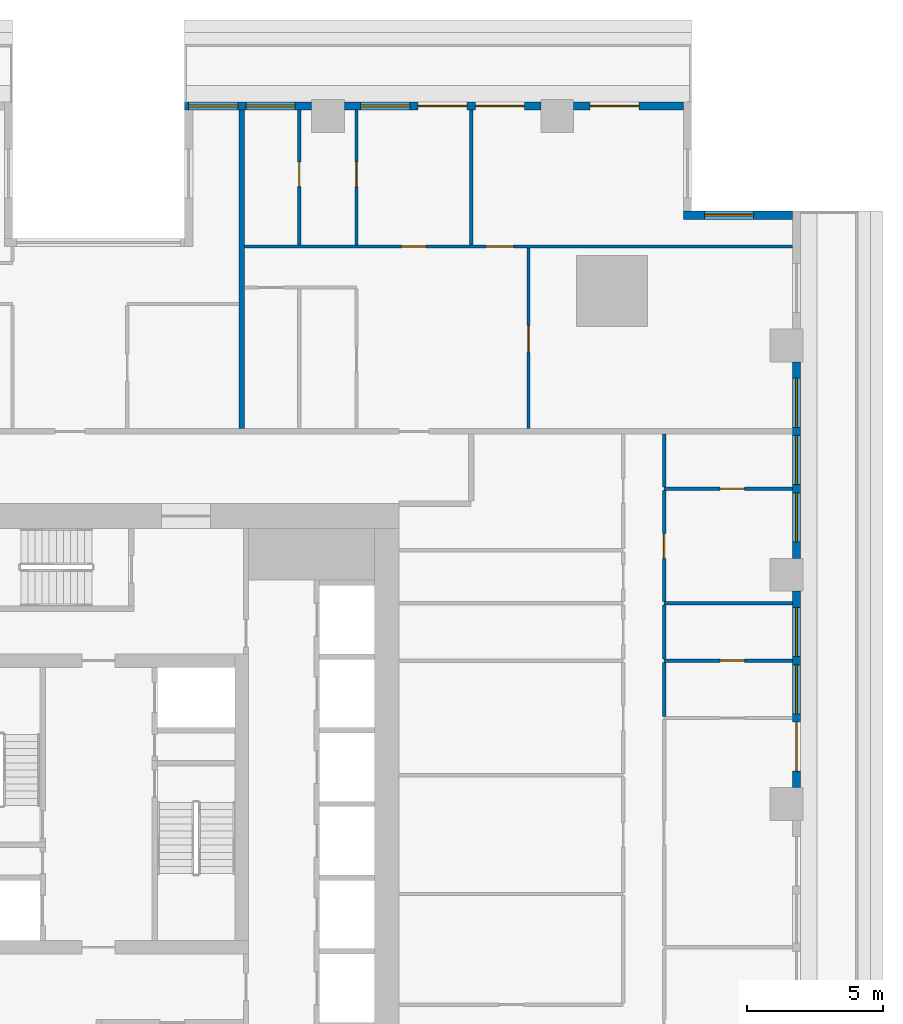
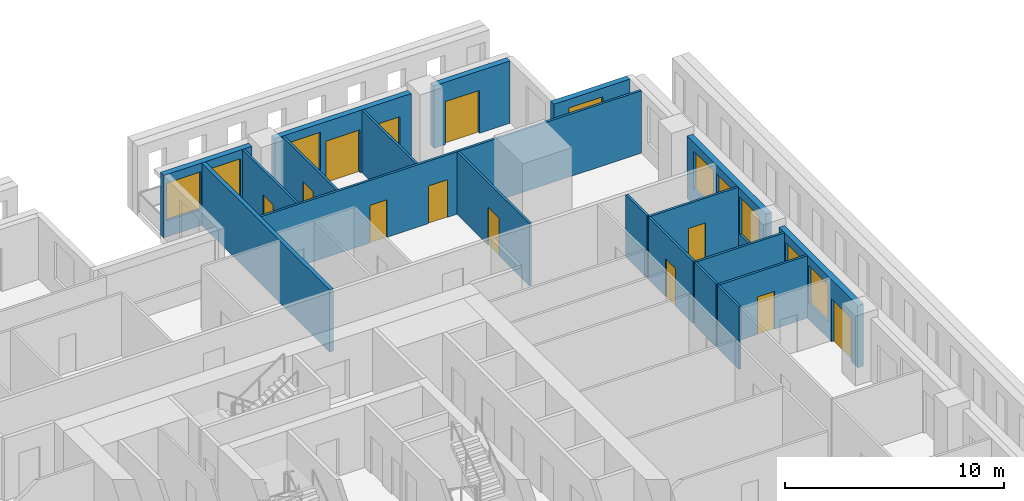
# One storey, part 9 of 16: 19 walls, 12 doors, 9 windows, 21 openings.
"""IFC4 building model written with IfcOpenShell, lengths in metres."""

from ifc_helpers import new_model, si_unit, direction, frame, frame_2d, origin, place, context, subcontext, project, spatial, rectangle, extrude, material, layer, layer_set, type_object, element, fill, save


model = new_model("IFC4")

# Units and contexts
model_context = context("Model", 3, precision=1e-05, world=origin(), true_north=direction((0.0, 1.0)))
body_context = subcontext(model_context, "Body", "Model", "MODEL_VIEW")
ifc_project = project(units=[si_unit("LENGTHUNIT", "METRE"), si_unit("AREAUNIT", "SQUARE_METRE"), si_unit("VOLUMEUNIT", "CUBIC_METRE"), si_unit("PLANEANGLEUNIT", "RADIAN"), si_unit("MASSUNIT", "GRAM", prefix="KILO")], contexts=[model_context])

# Site, building, storey
site_placement = place(None, origin())
site = spatial("IfcSite", under=ifc_project, at=site_placement, CompositionType="ELEMENT")
building_placement = place(site_placement, origin())
building = spatial("IfcBuilding", under=site, at=building_placement, Name="Khepri Terraces", CompositionType="ELEMENT")
storey_placement = place(building_placement, frame((0.0, 0.0, 137.699951171875)))
storey = spatial("IfcBuildingStorey", under=building, at=storey_placement, Name="L32", CompositionType="ELEMENT", Elevation=137.699951171875)

# Wall
ifc_material_1 = material(Name="Fire-rated gypsum plasterboard partition, mineral wool")
ifc_layer_1 = layer(ifc_material_1, 0.199951171875, Name="Fire-rated gypsum plasterboard partition, mineral wool")
ifc_layer_set_1 = layer_set([ifc_layer_1], Name="Fire-rated gypsum plasterboard partition, mineral wool")
wall_type_1 = type_object("IfcWallType", Name="WL-CORR-200", PredefinedType="PARTITIONING", material=ifc_layer_set_1)
wall_1_placement = place(storey_placement, frame((5.25, 13.75, 0.0), z_axis=(0.0, 0.0, 1.0), x_axis=(0.0, 1.0, 0.0)))
element("IfcWall", 1, at=wall_1_placement, inside=storey, type_object=wall_type_1, Name="Partition P-093 L32", PredefinedType="PARTITIONING", context=body_context, shape_type="SweptSolid", body=[
    extrude(rectangle(XDim=11.669921875, YDim=0.199951171875, at=frame_2d((5.8349609375, 0.0))), origin(), (0.0, 0.0, 1.0), 3.47998046875),
])

# Wall, openings, door, windows
ifc_material_2 = material(Name="Precast concrete C50/60 warm stone", Category="masonry")
ifc_layer_2 = layer(ifc_material_2, 0.300048828125, Name="Precast concrete C50/60 warm stone", Category="masonry")
ifc_layer_set_2 = layer_set([ifc_layer_2], Name="Precast concrete C50/60 warm stone")
wall_type_2 = type_object("IfcWallType", Name="WL-EXT-PRECAST-300", PredefinedType="STANDARD", material=ifc_layer_set_2)
wall_2_placement = place(storey_placement, frame((25.570068359375, 0.60009765625, 0.0), z_axis=(0.0, 0.0, 1.0), x_axis=(0.0, 1.0, 0.0)))
wall_2 = element("IfcWall", 2, at=wall_2_placement, inside=storey, type_object=wall_type_2, Name="External wall L32 E", PredefinedType="STANDARD", context=body_context, shape_type="SweptSolid", body=[
    extrude(rectangle(XDim=7.199951171875, YDim=0.300048828125, at=frame_2d((3.60009765625, 0.0))), origin(), (0.0, 0.0, 1.0), 3.47998046875),
])
opening_1_placement = place(wall_2_placement, frame((0.60009765625, 0.0, 0.0)))
opening_1 = element("IfcOpeningElement", 3, at=opening_1_placement, cuts=wall_2, Name="Opening ED-L32-06", PredefinedType="OPENING", context=body_context, shape_type="SweptSolid", body=[
    extrude(rectangle(XDim=1.800048828125, YDim=2.39990234375, at=frame_2d((0.89990234375, 1.199951171875))), frame((0.0, 0.16015625, 0.0), z_axis=(0.0, -1.0, 0.0), x_axis=(1.0, 0.0, 0.0)), (0.0, 0.0, 1.0), 0.320068359375),
])
opening_2_placement = place(wall_2_placement, frame((2.699951171875, 0.0, 0.89990234375)))
opening_2 = element("IfcOpeningElement", 4, at=opening_2_placement, cuts=wall_2, Name="Opening W1", PredefinedType="OPENING", context=body_context, shape_type="SweptSolid", body=[
    extrude(rectangle(XDim=1.800048828125, YDim=2.10009765625, at=frame_2d((0.89990234375, 1.050048828125))), frame((0.0, 0.16015625, 0.0), z_axis=(0.0, -1.0, 0.0), x_axis=(1.0, 0.0, 0.0)), (0.0, 0.0, 1.0), 0.320068359375),
])
opening_3_placement = place(wall_2_placement, frame((4.800048828125, 0.0, 0.89990234375)))
opening_3 = element("IfcOpeningElement", 5, at=opening_3_placement, cuts=wall_2, Name="Opening W1", PredefinedType="OPENING", context=body_context, shape_type="SweptSolid", body=[
    extrude(rectangle(XDim=1.800048828125, YDim=2.10009765625, at=frame_2d((0.89990234375, 1.050048828125))), frame((0.0, 0.16015625, 0.0), z_axis=(0.0, -1.0, 0.0), x_axis=(1.0, 0.0, 0.0)), (0.0, 0.0, 1.0), 0.320068359375),
])
ifc_material_3 = material(Name="Anodised aluminium bronze glazed door", Category="aluminium")
door_type_1 = type_object("IfcDoorType", Name="DR-BAL-SLIDE-1800x2400", OperationType="NOTDEFINED", PredefinedType="DOOR", material=ifc_material_3)
door_1_placement = place(opening_1_placement, origin())
door_1 = element("IfcDoor", 6, at=door_1_placement, inside=storey, type_object=door_type_1, Name="Balcony door L32 E", OperationType="SLIDING_TO_LEFT", OverallHeight=2.39990234375, OverallWidth=1.800048828125, PredefinedType="DOOR", context=body_context, shape_type="SweptSolid", body=[
    extrude(rectangle(XDim=1.800048828125, YDim=2.39990234375, at=frame_2d((0.89990234375, 1.199951171875))), frame((0.0, 0.02490234375, 0.0), z_axis=(0.0, -1.0, 0.0), x_axis=(1.0, 0.0, 0.0)), (0.0, 0.0, 1.0), 0.050048828125),
])
fill(opening_1, door_1)
ifc_material_4 = material(Name="Clear glass", Category="glass")
window_type = type_object("IfcWindowType", Name="WIN-RES-1800x2100", PartitioningType="SINGLE_PANEL", PredefinedType="WINDOW", material=ifc_material_4)
window_1_placement = place(opening_2_placement, origin())
window_1 = element("IfcWindow", 7, at=window_1_placement, inside=storey, type_object=window_type, Name="Window L32 E", OverallHeight=2.10009765625, OverallWidth=1.800048828125, PartitioningType="SINGLE_PANEL", PredefinedType="WINDOW", context=body_context, shape_type="SweptSolid", body=[
    extrude(rectangle(XDim=1.800048828125, YDim=2.10009765625, at=frame_2d((0.89990234375, 1.050048828125))), frame((0.0, 0.030029296875, 0.0), z_axis=(0.0, -1.0, 0.0), x_axis=(1.0, 0.0, 0.0)), (0.0, 0.0, 1.0), 0.06005859375),
])
fill(opening_2, window_1)
window_2_placement = place(opening_3_placement, origin())
window_2 = element("IfcWindow", 8, at=window_2_placement, inside=storey, type_object=window_type, Name="Window L32 E", OverallHeight=2.10009765625, OverallWidth=1.800048828125, PartitioningType="SINGLE_PANEL", PredefinedType="WINDOW", context=body_context, shape_type="SweptSolid", body=[
    extrude(rectangle(XDim=1.800048828125, YDim=2.10009765625, at=frame_2d((0.89990234375, 1.050048828125))), frame((0.0, 0.030029296875, 0.0), z_axis=(0.0, -1.0, 0.0), x_axis=(1.0, 0.0, 0.0)), (0.0, 0.0, 1.0), 0.06005859375),
])
fill(opening_3, window_2)

# Wall, openings, windows
wall_3_placement = place(storey_placement, frame((25.570068359375, 9.0, 0.0), z_axis=(0.0, 0.0, 1.0), x_axis=(0.0, 1.0, 0.0)))
wall_3 = element("IfcWall", 9, at=wall_3_placement, inside=storey, type_object=wall_type_2, Name="External wall L32 E", PredefinedType="STANDARD", context=body_context, shape_type="SweptSolid", body=[
    extrude(rectangle(XDim=7.199951171875, YDim=0.300048828125, at=frame_2d((3.60009765625, 0.0))), origin(), (0.0, 0.0, 1.0), 3.47998046875),
])
opening_4_placement = place(wall_3_placement, frame((0.60009765625, 0.0, 0.89990234375)))
opening_4 = element("IfcOpeningElement", 10, at=opening_4_placement, cuts=wall_3, Name="Opening W1", PredefinedType="OPENING", context=body_context, shape_type="SweptSolid", body=[
    extrude(rectangle(XDim=1.800048828125, YDim=2.10009765625, at=frame_2d((0.89990234375, 1.050048828125))), frame((0.0, 0.16015625, 0.0), z_axis=(0.0, -1.0, 0.0), x_axis=(1.0, 0.0, 0.0)), (0.0, 0.0, 1.0), 0.320068359375),
])
opening_5_placement = place(wall_3_placement, frame((2.699951171875, 0.0, 0.89990234375)))
opening_5 = element("IfcOpeningElement", 11, at=opening_5_placement, cuts=wall_3, Name="Opening W1", PredefinedType="OPENING", context=body_context, shape_type="SweptSolid", body=[
    extrude(rectangle(XDim=1.800048828125, YDim=2.10009765625, at=frame_2d((0.89990234375, 1.050048828125))), frame((0.0, 0.16015625, 0.0), z_axis=(0.0, -1.0, 0.0), x_axis=(1.0, 0.0, 0.0)), (0.0, 0.0, 1.0), 0.320068359375),
])
opening_6_placement = place(wall_3_placement, frame((4.800048828125, 0.0, 0.89990234375)))
opening_6 = element("IfcOpeningElement", 12, at=opening_6_placement, cuts=wall_3, Name="Opening W1", PredefinedType="OPENING", context=body_context, shape_type="SweptSolid", body=[
    extrude(rectangle(XDim=1.800048828125, YDim=2.10009765625, at=frame_2d((0.89990234375, 1.050048828125))), frame((0.0, 0.16015625, 0.0), z_axis=(0.0, -1.0, 0.0), x_axis=(1.0, 0.0, 0.0)), (0.0, 0.0, 1.0), 0.320068359375),
])
window_3_placement = place(opening_4_placement, origin())
window_3 = element("IfcWindow", 13, at=window_3_placement, inside=storey, type_object=window_type, Name="Window L32 E", OverallHeight=2.10009765625, OverallWidth=1.800048828125, PartitioningType="SINGLE_PANEL", PredefinedType="WINDOW", context=body_context, shape_type="SweptSolid", body=[
    extrude(rectangle(XDim=1.800048828125, YDim=2.10009765625, at=frame_2d((0.89990234375, 1.050048828125))), frame((0.0, 0.030029296875, 0.0), z_axis=(0.0, -1.0, 0.0), x_axis=(1.0, 0.0, 0.0)), (0.0, 0.0, 1.0), 0.06005859375),
])
fill(opening_4, window_3)
window_4_placement = place(opening_5_placement, origin())
window_4 = element("IfcWindow", 14, at=window_4_placement, inside=storey, type_object=window_type, Name="Window L32 E", OverallHeight=2.10009765625, OverallWidth=1.800048828125, PartitioningType="SINGLE_PANEL", PredefinedType="WINDOW", context=body_context, shape_type="SweptSolid", body=[
    extrude(rectangle(XDim=1.800048828125, YDim=2.10009765625, at=frame_2d((0.89990234375, 1.050048828125))), frame((0.0, 0.030029296875, 0.0), z_axis=(0.0, -1.0, 0.0), x_axis=(1.0, 0.0, 0.0)), (0.0, 0.0, 1.0), 0.06005859375),
])
fill(opening_5, window_4)
window_5_placement = place(opening_6_placement, origin())
window_5 = element("IfcWindow", 15, at=window_5_placement, inside=storey, type_object=window_type, Name="Window L32 E", OverallHeight=2.10009765625, OverallWidth=1.800048828125, PartitioningType="SINGLE_PANEL", PredefinedType="WINDOW", context=body_context, shape_type="SweptSolid", body=[
    extrude(rectangle(XDim=1.800048828125, YDim=2.10009765625, at=frame_2d((0.89990234375, 1.050048828125))), frame((0.0, 0.030029296875, 0.0), z_axis=(0.0, -1.0, 0.0), x_axis=(1.0, 0.0, 0.0)), (0.0, 0.0, 1.0), 0.06005859375),
])
fill(opening_6, window_5)

# Wall, opening, window
wall_4_placement = place(storey_placement, frame((25.419921875, 21.570068359375, 0.0), z_axis=(0.0, 0.0, 1.0), x_axis=(-1.0, 0.0, 0.0)))
wall_4 = element("IfcWall", 16, at=wall_4_placement, inside=storey, type_object=wall_type_2, Name="External wall L32 N", PredefinedType="STANDARD", context=body_context, shape_type="SweptSolid", body=[
    extrude(rectangle(XDim=4.0, YDim=0.300048828125, at=frame_2d((2.0, 0.0))), origin(), (0.0, 0.0, 1.0), 3.47998046875),
])
opening_7_placement = place(wall_4_placement, frame((1.419921875, 0.0, 0.89990234375)))
opening_7 = element("IfcOpeningElement", 17, at=opening_7_placement, cuts=wall_4, Name="Opening W1", PredefinedType="OPENING", context=body_context, shape_type="SweptSolid", body=[
    extrude(rectangle(XDim=1.800048828125, YDim=2.10009765625, at=frame_2d((0.89990234375, 1.050048828125))), frame((0.0, 0.16015625, 0.0), z_axis=(0.0, -1.0, 0.0), x_axis=(1.0, 0.0, 0.0)), (0.0, 0.0, 1.0), 0.320068359375),
])
window_6_placement = place(opening_7_placement, origin())
window_6 = element("IfcWindow", 18, at=window_6_placement, inside=storey, type_object=window_type, Name="Window L32 N", OverallHeight=2.10009765625, OverallWidth=1.800048828125, PartitioningType="SINGLE_PANEL", PredefinedType="WINDOW", context=body_context, shape_type="SweptSolid", body=[
    extrude(rectangle(XDim=1.800048828125, YDim=2.10009765625, at=frame_2d((0.89990234375, 1.050048828125))), frame((0.0, 0.030029296875, 0.0), z_axis=(0.0, -1.0, 0.0), x_axis=(1.0, 0.0, 0.0)), (0.0, 0.0, 1.0), 0.06005859375),
])
fill(opening_7, window_6)

# Wall, opening, door
wall_5_placement = place(storey_placement, frame((21.419921875, 25.570068359375, 0.0), z_axis=(0.0, 0.0, 1.0), x_axis=(-1.0, 0.0, 0.0)))
wall_5 = element("IfcWall", 19, at=wall_5_placement, inside=storey, type_object=wall_type_2, Name="External wall L32 N", PredefinedType="STANDARD", context=body_context, shape_type="SweptSolid", body=[
    extrude(rectangle(XDim=4.02001953125, YDim=0.300048828125, at=frame_2d((2.010009765625, 0.0))), origin(), (0.0, 0.0, 1.0), 3.47998046875),
])
opening_8_placement = place(wall_5_placement, frame((1.6201171875, 0.0, 0.0)))
opening_8 = element("IfcOpeningElement", 20, at=opening_8_placement, cuts=wall_5, Name="Opening ED-L32-07", PredefinedType="OPENING", context=body_context, shape_type="SweptSolid", body=[
    extrude(rectangle(XDim=1.800048828125, YDim=2.39990234375, at=frame_2d((0.89990234375, 1.199951171875))), frame((0.0, 0.16015625, 0.0), z_axis=(0.0, -1.0, 0.0), x_axis=(1.0, 0.0, 0.0)), (0.0, 0.0, 1.0), 0.320068359375),
])
door_2_placement = place(opening_8_placement, origin())
door_2 = element("IfcDoor", 21, at=door_2_placement, inside=storey, type_object=door_type_1, Name="Balcony door L32 N", OperationType="SLIDING_TO_RIGHT", OverallHeight=2.39990234375, OverallWidth=1.800048828125, PredefinedType="DOOR", context=body_context, shape_type="SweptSolid", body=[
    extrude(rectangle(XDim=1.800048828125, YDim=2.39990234375, at=frame_2d((0.89990234375, 1.199951171875))), frame((0.0, 0.02490234375, 0.0), z_axis=(0.0, -1.0, 0.0), x_axis=(1.0, 0.0, 0.0)), (0.0, 0.0, 1.0), 0.050048828125),
])
fill(opening_8, door_2)

# Wall, openings, doors, window
wall_6_placement = place(storey_placement, frame((16.199951171875, 25.570068359375, 0.0), z_axis=(0.0, 0.0, 1.0), x_axis=(-1.0, 0.0, 0.0)))
wall_6 = element("IfcWall", 22, at=wall_6_placement, inside=storey, type_object=wall_type_2, Name="External wall L32 N", PredefinedType="STANDARD", context=body_context, shape_type="SweptSolid", body=[
    extrude(rectangle(XDim=7.199951171875, YDim=0.300048828125, at=frame_2d((3.60009765625, 0.0))), origin(), (0.0, 0.0, 1.0), 3.47998046875),
])
opening_9_placement = place(wall_6_placement, frame((0.60009765625, 0.0, 0.0)))
opening_9 = element("IfcOpeningElement", 23, at=opening_9_placement, cuts=wall_6, Name="Opening ED-L32-08", PredefinedType="OPENING", context=body_context, shape_type="SweptSolid", body=[
    extrude(rectangle(XDim=1.800048828125, YDim=2.39990234375, at=frame_2d((0.89990234375, 1.199951171875))), frame((0.0, 0.16015625, 0.0), z_axis=(0.0, -1.0, 0.0), x_axis=(1.0, 0.0, 0.0)), (0.0, 0.0, 1.0), 0.320068359375),
])
opening_10_placement = place(wall_6_placement, frame((2.699951171875, 0.0, 0.0)))
opening_10 = element("IfcOpeningElement", 24, at=opening_10_placement, cuts=wall_6, Name="Opening ED-L32-09", PredefinedType="OPENING", context=body_context, shape_type="SweptSolid", body=[
    extrude(rectangle(XDim=1.800048828125, YDim=2.39990234375, at=frame_2d((0.89990234375, 1.199951171875))), frame((0.0, 0.16015625, 0.0), z_axis=(0.0, -1.0, 0.0), x_axis=(1.0, 0.0, 0.0)), (0.0, 0.0, 1.0), 0.320068359375),
])
opening_11_placement = place(wall_6_placement, frame((4.800048828125, 0.0, 0.89990234375)))
opening_11 = element("IfcOpeningElement", 25, at=opening_11_placement, cuts=wall_6, Name="Opening W1", PredefinedType="OPENING", context=body_context, shape_type="SweptSolid", body=[
    extrude(rectangle(XDim=1.800048828125, YDim=2.10009765625, at=frame_2d((0.89990234375, 1.050048828125))), frame((0.0, 0.16015625, 0.0), z_axis=(0.0, -1.0, 0.0), x_axis=(1.0, 0.0, 0.0)), (0.0, 0.0, 1.0), 0.320068359375),
])
door_3_placement = place(opening_9_placement, origin())
door_3 = element("IfcDoor", 26, at=door_3_placement, inside=storey, type_object=door_type_1, Name="Balcony door L32 N", OperationType="SLIDING_TO_LEFT", OverallHeight=2.39990234375, OverallWidth=1.800048828125, PredefinedType="DOOR", context=body_context, shape_type="SweptSolid", body=[
    extrude(rectangle(XDim=1.800048828125, YDim=2.39990234375, at=frame_2d((0.89990234375, 1.199951171875))), frame((0.0, 0.02490234375, 0.0), z_axis=(0.0, -1.0, 0.0), x_axis=(1.0, 0.0, 0.0)), (0.0, 0.0, 1.0), 0.050048828125),
])
fill(opening_9, door_3)
door_4_placement = place(opening_10_placement, origin())
door_4 = element("IfcDoor", 27, at=door_4_placement, inside=storey, type_object=door_type_1, Name="Balcony door L32 N", OperationType="SLIDING_TO_RIGHT", OverallHeight=2.39990234375, OverallWidth=1.800048828125, PredefinedType="DOOR", context=body_context, shape_type="SweptSolid", body=[
    extrude(rectangle(XDim=1.800048828125, YDim=2.39990234375, at=frame_2d((0.89990234375, 1.199951171875))), frame((0.0, 0.02490234375, 0.0), z_axis=(0.0, -1.0, 0.0), x_axis=(1.0, 0.0, 0.0)), (0.0, 0.0, 1.0), 0.050048828125),
])
fill(opening_10, door_4)
window_7_placement = place(opening_11_placement, origin())
window_7 = element("IfcWindow", 28, at=window_7_placement, inside=storey, type_object=window_type, Name="Window L32 N", OverallHeight=2.10009765625, OverallWidth=1.800048828125, PartitioningType="SINGLE_PANEL", PredefinedType="WINDOW", context=body_context, shape_type="SweptSolid", body=[
    extrude(rectangle(XDim=1.800048828125, YDim=2.10009765625, at=frame_2d((0.89990234375, 1.050048828125))), frame((0.0, 0.030029296875, 0.0), z_axis=(0.0, -1.0, 0.0), x_axis=(1.0, 0.0, 0.0)), (0.0, 0.0, 1.0), 0.06005859375),
])
fill(opening_11, window_7)

# Wall, openings, windows
wall_7_placement = place(storey_placement, frame((7.800048828125, 25.570068359375, 0.0), z_axis=(0.0, 0.0, 1.0), x_axis=(-1.0, 0.0, 0.0)))
wall_7 = element("IfcWall", 29, at=wall_7_placement, inside=storey, type_object=wall_type_2, Name="External wall L32 N", PredefinedType="STANDARD", context=body_context, shape_type="SweptSolid", body=[
    extrude(rectangle(XDim=4.650146484375, YDim=0.300048828125, at=frame_2d((2.3251953125, 0.0))), origin(), (0.0, 0.0, 1.0), 3.47998046875),
])
opening_12_placement = place(wall_7_placement, frame((0.60009765625, 0.0, 0.89990234375)))
opening_12 = element("IfcOpeningElement", 30, at=opening_12_placement, cuts=wall_7, Name="Opening W1", PredefinedType="OPENING", context=body_context, shape_type="SweptSolid", body=[
    extrude(rectangle(XDim=1.800048828125, YDim=2.10009765625, at=frame_2d((0.89990234375, 1.050048828125))), frame((0.0, 0.16015625, 0.0), z_axis=(0.0, -1.0, 0.0), x_axis=(1.0, 0.0, 0.0)), (0.0, 0.0, 1.0), 0.320068359375),
])
opening_13_placement = place(wall_7_placement, frame((2.699951171875, 0.0, 0.89990234375)))
opening_13 = element("IfcOpeningElement", 31, at=opening_13_placement, cuts=wall_7, Name="Opening W1", PredefinedType="OPENING", context=body_context, shape_type="SweptSolid", body=[
    extrude(rectangle(XDim=1.800048828125, YDim=2.10009765625, at=frame_2d((0.89990234375, 1.050048828125))), frame((0.0, 0.16015625, 0.0), z_axis=(0.0, -1.0, 0.0), x_axis=(1.0, 0.0, 0.0)), (0.0, 0.0, 1.0), 0.320068359375),
])
window_8_placement = place(opening_12_placement, origin())
window_8 = element("IfcWindow", 32, at=window_8_placement, inside=storey, type_object=window_type, Name="Window L32 N", OverallHeight=2.10009765625, OverallWidth=1.800048828125, PartitioningType="SINGLE_PANEL", PredefinedType="WINDOW", context=body_context, shape_type="SweptSolid", body=[
    extrude(rectangle(XDim=1.800048828125, YDim=2.10009765625, at=frame_2d((0.89990234375, 1.050048828125))), frame((0.0, 0.030029296875, 0.0), z_axis=(0.0, -1.0, 0.0), x_axis=(1.0, 0.0, 0.0)), (0.0, 0.0, 1.0), 0.06005859375),
])
fill(opening_12, window_8)
window_9_placement = place(opening_13_placement, origin())
window_9 = element("IfcWindow", 33, at=window_9_placement, inside=storey, type_object=window_type, Name="Window L32 N", OverallHeight=2.10009765625, OverallWidth=1.800048828125, PartitioningType="SINGLE_PANEL", PredefinedType="WINDOW", context=body_context, shape_type="SweptSolid", body=[
    extrude(rectangle(XDim=1.800048828125, YDim=2.10009765625, at=frame_2d((0.89990234375, 1.050048828125))), frame((0.0, 0.030029296875, 0.0), z_axis=(0.0, -1.0, 0.0), x_axis=(1.0, 0.0, 0.0)), (0.0, 0.0, 1.0), 0.06005859375),
])
fill(opening_13, window_9)

# Wall
ifc_material_5 = material(Name="Gypsum plasterboard partition")
ifc_layer_3 = layer(ifc_material_5, 0.1201171875, Name="Gypsum plasterboard partition")
ifc_layer_set_3 = layer_set([ifc_layer_3], Name="Gypsum plasterboard partition")
wall_type_3 = type_object("IfcWallType", Name="WL-PART-120", PredefinedType="PARTITIONING", material=ifc_layer_set_3)
wall_8_placement = place(storey_placement, frame((20.719970703125, 3.2099609375, 0.0), z_axis=(0.0, 0.0, 1.0), x_axis=(0.0, 1.0, 0.0)))
element("IfcWall", 34, at=wall_8_placement, inside=storey, type_object=wall_type_3, Name="Partition P-063 L32", PredefinedType="PARTITIONING", context=body_context, shape_type="SweptSolid", body=[
    extrude(rectangle(XDim=1.97998046875, YDim=0.1201171875, at=frame_2d((0.989990234375, 0.0))), origin(), (0.0, 0.0, 1.0), 3.47998046875),
])

# Wall, opening, door
wall_9_placement = place(storey_placement, frame((20.719970703125, 5.25, 0.0), z_axis=(0.0, 0.0, 1.0), x_axis=(1.0, 0.0, 0.0)))
wall_9 = element("IfcWall", 35, at=wall_9_placement, inside=storey, type_object=wall_type_3, Name="Partition P-066 L32", PredefinedType="PARTITIONING", context=body_context, shape_type="SweptSolid", body=[
    extrude(rectangle(XDim=4.699951171875, YDim=0.1201171875, at=frame_2d((2.35009765625, 0.0))), origin(), (0.0, 0.0, 1.0), 3.47998046875),
])
opening_14_placement = place(wall_9_placement, frame((2.050048828125, 0.0, 0.0)))
opening_14 = element("IfcOpeningElement", 36, at=opening_14_placement, cuts=wall_9, Name="Opening D4", PredefinedType="OPENING", context=body_context, shape_type="SweptSolid", body=[
    extrude(rectangle(XDim=0.89990234375, YDim=2.10009765625, at=frame_2d((0.449951171875, 1.050048828125))), frame((0.0, 0.070068359375, 0.0), z_axis=(0.0, -1.0, 0.0), x_axis=(1.0, 0.0, 0.0)), (0.0, 0.0, 1.0), 0.14013671875),
])
ifc_material_6 = material(Name="Timber door leaf, moisture resistant", Category="wood")
door_type_2 = type_object("IfcDoorType", Name="DR-WET-900", OperationType="NOTDEFINED", PredefinedType="DOOR", material=ifc_material_6)
door_5_placement = place(opening_14_placement, origin())
door_5 = element("IfcDoor", 37, at=door_5_placement, inside=storey, type_object=door_type_2, Name="Door Bathroom", OperationType="SINGLE_SWING_RIGHT", OverallHeight=2.10009765625, OverallWidth=0.89990234375, PredefinedType="DOOR", context=body_context, shape_type="SweptSolid", body=[
    extrude(rectangle(XDim=0.89990234375, YDim=2.10009765625, at=frame_2d((0.449951171875, 1.050048828125))), frame((0.0, 0.02490234375, 0.0), z_axis=(0.0, -1.0, 0.0), x_axis=(1.0, 0.0, 0.0)), (0.0, 0.0, 1.0), 0.050048828125),
])
fill(opening_14, door_5)

# Walls
wall_10_placement = place(storey_placement, frame((20.719970703125, 5.31005859375, 0.0), z_axis=(0.0, 0.0, 1.0), x_axis=(0.0, 1.0, 0.0)))
element("IfcWall", 38, at=wall_10_placement, inside=storey, type_object=wall_type_3, Name="Partition P-069 L32", PredefinedType="PARTITIONING", context=body_context, shape_type="SweptSolid", body=[
    extrude(rectangle(XDim=1.97998046875, YDim=0.1201171875, at=frame_2d((0.989990234375, 0.0))), origin(), (0.0, 0.0, 1.0), 3.47998046875),
])
wall_11_placement = place(storey_placement, frame((20.719970703125, 7.35009765625, 0.0), z_axis=(0.0, 0.0, 1.0), x_axis=(1.0, 0.0, 0.0)))
element("IfcWall", 39, at=wall_11_placement, inside=storey, type_object=wall_type_3, Name="Partition P-072 L32", PredefinedType="PARTITIONING", context=body_context, shape_type="SweptSolid", body=[
    extrude(rectangle(XDim=4.699951171875, YDim=0.1201171875, at=frame_2d((2.35009765625, 0.0))), origin(), (0.0, 0.0, 1.0), 3.47998046875),
])

# Wall, opening, door
wall_12_placement = place(storey_placement, frame((20.719970703125, 7.409912109375, 0.0), z_axis=(0.0, 0.0, 1.0), x_axis=(0.0, 1.0, 0.0)))
wall_12 = element("IfcWall", 40, at=wall_12_placement, inside=storey, type_object=wall_type_3, Name="Partition P-074 L32", PredefinedType="PARTITIONING", context=body_context, shape_type="SweptSolid", body=[
    extrude(rectangle(XDim=4.080078125, YDim=0.1201171875, at=frame_2d((2.0400390625, 0.0))), origin(), (0.0, 0.0, 1.0), 3.47998046875),
])
opening_15_placement = place(wall_12_placement, frame((1.590087890625, 0.0, 0.0)))
opening_15 = element("IfcOpeningElement", 41, at=opening_15_placement, cuts=wall_12, Name="Opening D3", PredefinedType="OPENING", context=body_context, shape_type="SweptSolid", body=[
    extrude(rectangle(XDim=0.89990234375, YDim=2.10009765625, at=frame_2d((0.449951171875, 1.050048828125))), frame((0.0, 0.070068359375, 0.0), z_axis=(0.0, -1.0, 0.0), x_axis=(1.0, 0.0, 0.0)), (0.0, 0.0, 1.0), 0.14013671875),
])
ifc_material_7 = material(Name="Timber door leaf", Category="wood")
door_type_3 = type_object("IfcDoorType", Name="DR-INT-900", OperationType="NOTDEFINED", PredefinedType="DOOR", material=ifc_material_7)
door_6_placement = place(opening_15_placement, frame((0.89990234375, 0.0, 0.0), z_axis=(0.0, 0.0, 1.0), x_axis=(-1.0, 0.0, 0.0)))
door_6 = element("IfcDoor", 42, at=door_6_placement, inside=storey, type_object=door_type_3, Name="Door Bedroom", OperationType="SINGLE_SWING_RIGHT", OverallHeight=2.10009765625, OverallWidth=0.89990234375, PredefinedType="DOOR", context=body_context, shape_type="SweptSolid", body=[
    extrude(rectangle(XDim=0.89990234375, YDim=2.10009765625, at=frame_2d((0.449951171875, 1.050048828125))), frame((0.0, 0.02490234375, 0.0), z_axis=(0.0, -1.0, 0.0), x_axis=(1.0, 0.0, 0.0)), (0.0, 0.0, 1.0), 0.050048828125),
])
fill(opening_15, door_6)

wall_13_placement = place(storey_placement, frame((20.719970703125, 11.550048828125, 0.0), z_axis=(0.0, 0.0, 1.0), x_axis=(1.0, 0.0, 0.0)))
wall_13 = element("IfcWall", 43, at=wall_13_placement, inside=storey, type_object=wall_type_3, Name="Partition P-082 L32", PredefinedType="PARTITIONING", context=body_context, shape_type="SweptSolid", body=[
    extrude(rectangle(XDim=4.699951171875, YDim=0.1201171875, at=frame_2d((2.35009765625, 0.0))), origin(), (0.0, 0.0, 1.0), 3.47998046875),
])
opening_16_placement = place(wall_13_placement, frame((2.050048828125, 0.0, 0.0)))
opening_16 = element("IfcOpeningElement", 44, at=opening_16_placement, cuts=wall_13, Name="Opening D4", PredefinedType="OPENING", context=body_context, shape_type="SweptSolid", body=[
    extrude(rectangle(XDim=0.89990234375, YDim=2.10009765625, at=frame_2d((0.449951171875, 1.050048828125))), frame((0.0, 0.070068359375, 0.0), z_axis=(0.0, -1.0, 0.0), x_axis=(1.0, 0.0, 0.0)), (0.0, 0.0, 1.0), 0.14013671875),
])
door_7_placement = place(opening_16_placement, origin())
door_7 = element("IfcDoor", 45, at=door_7_placement, inside=storey, type_object=door_type_2, Name="Door Bathroom", OperationType="SINGLE_SWING_RIGHT", OverallHeight=2.10009765625, OverallWidth=0.89990234375, PredefinedType="DOOR", context=body_context, shape_type="SweptSolid", body=[
    extrude(rectangle(XDim=0.89990234375, YDim=2.10009765625, at=frame_2d((0.449951171875, 1.050048828125))), frame((0.0, 0.02490234375, 0.0), z_axis=(0.0, -1.0, 0.0), x_axis=(1.0, 0.0, 0.0)), (0.0, 0.0, 1.0), 0.050048828125),
])
fill(opening_16, door_7)

# Wall
wall_14_placement = place(storey_placement, frame((20.719970703125, 11.610107421875, 0.0), z_axis=(0.0, 0.0, 1.0), x_axis=(0.0, 1.0, 0.0)))
element("IfcWall", 46, at=wall_14_placement, inside=storey, type_object=wall_type_3, Name="Partition P-084 L32", PredefinedType="PARTITIONING", context=body_context, shape_type="SweptSolid", body=[
    extrude(rectangle(XDim=1.93994140625, YDim=0.1201171875, at=frame_2d((0.969970703125, 0.0))), origin(), (0.0, 0.0, 1.0), 3.47998046875),
])

# Wall, opening, door
wall_15_placement = place(storey_placement, frame((15.75, 13.75, 0.0), z_axis=(0.0, 0.0, 1.0), x_axis=(0.0, 1.0, 0.0)))
wall_15 = element("IfcWall", 47, at=wall_15_placement, inside=storey, type_object=wall_type_3, Name="Partition P-096 L32", PredefinedType="PARTITIONING", context=body_context, shape_type="SweptSolid", body=[
    extrude(rectangle(XDim=6.610107421875, YDim=0.1201171875, at=frame_2d((3.30517578125, 0.0))), origin(), (0.0, 0.0, 1.0), 3.47998046875),
])
opening_17_placement = place(wall_15_placement, frame((2.784912109375, 0.0, 0.0)))
opening_17 = element("IfcOpeningElement", 48, at=opening_17_placement, cuts=wall_15, Name="Opening D2", PredefinedType="OPENING", context=body_context, shape_type="SweptSolid", body=[
    extrude(rectangle(XDim=1.0, YDim=2.10009765625, at=frame_2d((0.5, 1.050048828125))), frame((0.0, 0.070068359375, 0.0), z_axis=(0.0, -1.0, 0.0), x_axis=(1.0, 0.0, 0.0)), (0.0, 0.0, 1.0), 0.14013671875),
])
ifc_material_8 = material(Name="Timber door leaf, living room door", Category="wood")
door_type_4 = type_object("IfcDoorType", Name="DR-INT-1000", OperationType="NOTDEFINED", PredefinedType="DOOR", material=ifc_material_8)
door_8_placement = place(opening_17_placement, frame((1.0, 0.0, 0.0), z_axis=(0.0, 0.0, 1.0), x_axis=(-1.0, 0.0, 0.0)))
door_8 = element("IfcDoor", 49, at=door_8_placement, inside=storey, type_object=door_type_4, Name="Door Family Room", OperationType="SINGLE_SWING_RIGHT", OverallHeight=2.10009765625, OverallWidth=1.0, PredefinedType="DOOR", context=body_context, shape_type="SweptSolid", body=[
    extrude(rectangle(XDim=1.0, YDim=2.10009765625, at=frame_2d((0.5, 1.050048828125))), frame((0.0, 0.02490234375, 0.0), z_axis=(0.0, -1.0, 0.0), x_axis=(1.0, 0.0, 0.0)), (0.0, 0.0, 1.0), 0.050048828125),
])
fill(opening_17, door_8)

# Wall, openings, doors
wall_16_placement = place(storey_placement, frame((5.35009765625, 20.419921875, 0.0), z_axis=(0.0, 0.0, 1.0), x_axis=(1.0, 0.0, 0.0)))
wall_16 = element("IfcWall", 50, at=wall_16_placement, inside=storey, type_object=wall_type_3, Name="Partition P-104 L32", PredefinedType="PARTITIONING", context=body_context, shape_type="SweptSolid", body=[
    extrude(rectangle(XDim=20.06982421875, YDim=0.1201171875, at=frame_2d((10.034912109375, 0.0))), origin(), (0.0, 0.0, 1.0), 3.47998046875),
])
opening_18_placement = place(wall_16_placement, frame((8.85009765625, 0.0, 0.0)))
opening_18 = element("IfcOpeningElement", 51, at=opening_18_placement, cuts=wall_16, Name="Opening D2", PredefinedType="OPENING", context=body_context, shape_type="SweptSolid", body=[
    extrude(rectangle(XDim=1.0, YDim=2.10009765625, at=frame_2d((0.5, 1.050048828125))), frame((0.0, 0.070068359375, 0.0), z_axis=(0.0, -1.0, 0.0), x_axis=(1.0, 0.0, 0.0)), (0.0, 0.0, 1.0), 0.14013671875),
])
opening_19_placement = place(wall_16_placement, frame((5.75, 0.0, 0.0)))
opening_19 = element("IfcOpeningElement", 52, at=opening_19_placement, cuts=wall_16, Name="Opening D3", PredefinedType="OPENING", context=body_context, shape_type="SweptSolid", body=[
    extrude(rectangle(XDim=0.89990234375, YDim=2.10009765625, at=frame_2d((0.449951171875, 1.050048828125))), frame((0.0, 0.070068359375, 0.0), z_axis=(0.0, -1.0, 0.0), x_axis=(1.0, 0.0, 0.0)), (0.0, 0.0, 1.0), 0.14013671875),
])
door_9_placement = place(opening_18_placement, origin())
door_9 = element("IfcDoor", 53, at=door_9_placement, inside=storey, type_object=door_type_4, Name="Door Living Room", OperationType="SINGLE_SWING_LEFT", OverallHeight=2.10009765625, OverallWidth=1.0, PredefinedType="DOOR", context=body_context, shape_type="SweptSolid", body=[
    extrude(rectangle(XDim=1.0, YDim=2.10009765625, at=frame_2d((0.5, 1.050048828125))), frame((0.0, 0.02490234375, 0.0), z_axis=(0.0, -1.0, 0.0), x_axis=(1.0, 0.0, 0.0)), (0.0, 0.0, 1.0), 0.050048828125),
])
fill(opening_18, door_9)
door_10_placement = place(opening_19_placement, origin())
door_10 = element("IfcDoor", 54, at=door_10_placement, inside=storey, type_object=door_type_3, Name="Door Master Bedroom", OperationType="SINGLE_SWING_LEFT", OverallHeight=2.10009765625, OverallWidth=0.89990234375, PredefinedType="DOOR", context=body_context, shape_type="SweptSolid", body=[
    extrude(rectangle(XDim=0.89990234375, YDim=2.10009765625, at=frame_2d((0.449951171875, 1.050048828125))), frame((0.0, 0.02490234375, 0.0), z_axis=(0.0, -1.0, 0.0), x_axis=(1.0, 0.0, 0.0)), (0.0, 0.0, 1.0), 0.050048828125),
])
fill(opening_19, door_10)

# Wall, opening, door
wall_17_placement = place(storey_placement, frame((7.35009765625, 20.47998046875, 0.0), z_axis=(0.0, 0.0, 1.0), x_axis=(0.0, 1.0, 0.0)))
wall_17 = element("IfcWall", 55, at=wall_17_placement, inside=storey, type_object=wall_type_3, Name="Partition P-105 L32", PredefinedType="PARTITIONING", context=body_context, shape_type="SweptSolid", body=[
    extrude(rectangle(XDim=4.93994140625, YDim=0.1201171875, at=frame_2d((2.469970703125, 0.0))), origin(), (0.0, 0.0, 1.0), 3.47998046875),
])
opening_20_placement = place(wall_17_placement, frame((2.139892578125, 0.0, 0.0)))
opening_20 = element("IfcOpeningElement", 56, at=opening_20_placement, cuts=wall_17, Name="Opening D4", PredefinedType="OPENING", context=body_context, shape_type="SweptSolid", body=[
    extrude(rectangle(XDim=0.89990234375, YDim=2.10009765625, at=frame_2d((0.449951171875, 1.050048828125))), frame((0.0, 0.070068359375, 0.0), z_axis=(0.0, -1.0, 0.0), x_axis=(1.0, 0.0, 0.0)), (0.0, 0.0, 1.0), 0.14013671875),
])
door_11_placement = place(opening_20_placement, origin())
door_11 = element("IfcDoor", 57, at=door_11_placement, inside=storey, type_object=door_type_2, Name="Door Bathroom", OperationType="SINGLE_SWING_RIGHT", OverallHeight=2.10009765625, OverallWidth=0.89990234375, PredefinedType="DOOR", context=body_context, shape_type="SweptSolid", body=[
    extrude(rectangle(XDim=0.89990234375, YDim=2.10009765625, at=frame_2d((0.449951171875, 1.050048828125))), frame((0.0, 0.02490234375, 0.0), z_axis=(0.0, -1.0, 0.0), x_axis=(1.0, 0.0, 0.0)), (0.0, 0.0, 1.0), 0.050048828125),
])
fill(opening_20, door_11)

wall_18_placement = place(storey_placement, frame((9.449951171875, 20.47998046875, 0.0), z_axis=(0.0, 0.0, 1.0), x_axis=(0.0, 1.0, 0.0)))
wall_18 = element("IfcWall", 58, at=wall_18_placement, inside=storey, type_object=wall_type_3, Name="Partition P-106 L32", PredefinedType="PARTITIONING", context=body_context, shape_type="SweptSolid", body=[
    extrude(rectangle(XDim=4.93994140625, YDim=0.1201171875, at=frame_2d((2.469970703125, 0.0))), origin(), (0.0, 0.0, 1.0), 3.47998046875),
])
opening_21_placement = place(wall_18_placement, frame((2.139892578125, 0.0, 0.0)))
opening_21 = element("IfcOpeningElement", 59, at=opening_21_placement, cuts=wall_18, Name="Opening D3", PredefinedType="OPENING", context=body_context, shape_type="SweptSolid", body=[
    extrude(rectangle(XDim=0.89990234375, YDim=2.10009765625, at=frame_2d((0.449951171875, 1.050048828125))), frame((0.0, 0.070068359375, 0.0), z_axis=(0.0, -1.0, 0.0), x_axis=(1.0, 0.0, 0.0)), (0.0, 0.0, 1.0), 0.14013671875),
])
door_12_placement = place(opening_21_placement, origin())
door_12 = element("IfcDoor", 60, at=door_12_placement, inside=storey, type_object=door_type_3, Name="Door Dressing Room", OperationType="SINGLE_SWING_RIGHT", OverallHeight=2.10009765625, OverallWidth=0.89990234375, PredefinedType="DOOR", context=body_context, shape_type="SweptSolid", body=[
    extrude(rectangle(XDim=0.89990234375, YDim=2.10009765625, at=frame_2d((0.449951171875, 1.050048828125))), frame((0.0, 0.02490234375, 0.0), z_axis=(0.0, -1.0, 0.0), x_axis=(1.0, 0.0, 0.0)), (0.0, 0.0, 1.0), 0.050048828125),
])
fill(opening_21, door_12)

# Wall
wall_19_placement = place(storey_placement, frame((13.64990234375, 20.47998046875, 0.0), z_axis=(0.0, 0.0, 1.0), x_axis=(0.0, 1.0, 0.0)))
element("IfcWall", 61, at=wall_19_placement, inside=storey, type_object=wall_type_3, Name="Partition P-107 L32", PredefinedType="PARTITIONING", context=body_context, shape_type="SweptSolid", body=[
    extrude(rectangle(XDim=4.93994140625, YDim=0.1201171875, at=frame_2d((2.469970703125, 0.0))), origin(), (0.0, 0.0, 1.0), 3.47998046875),
])

save(model, "model.ifc")
